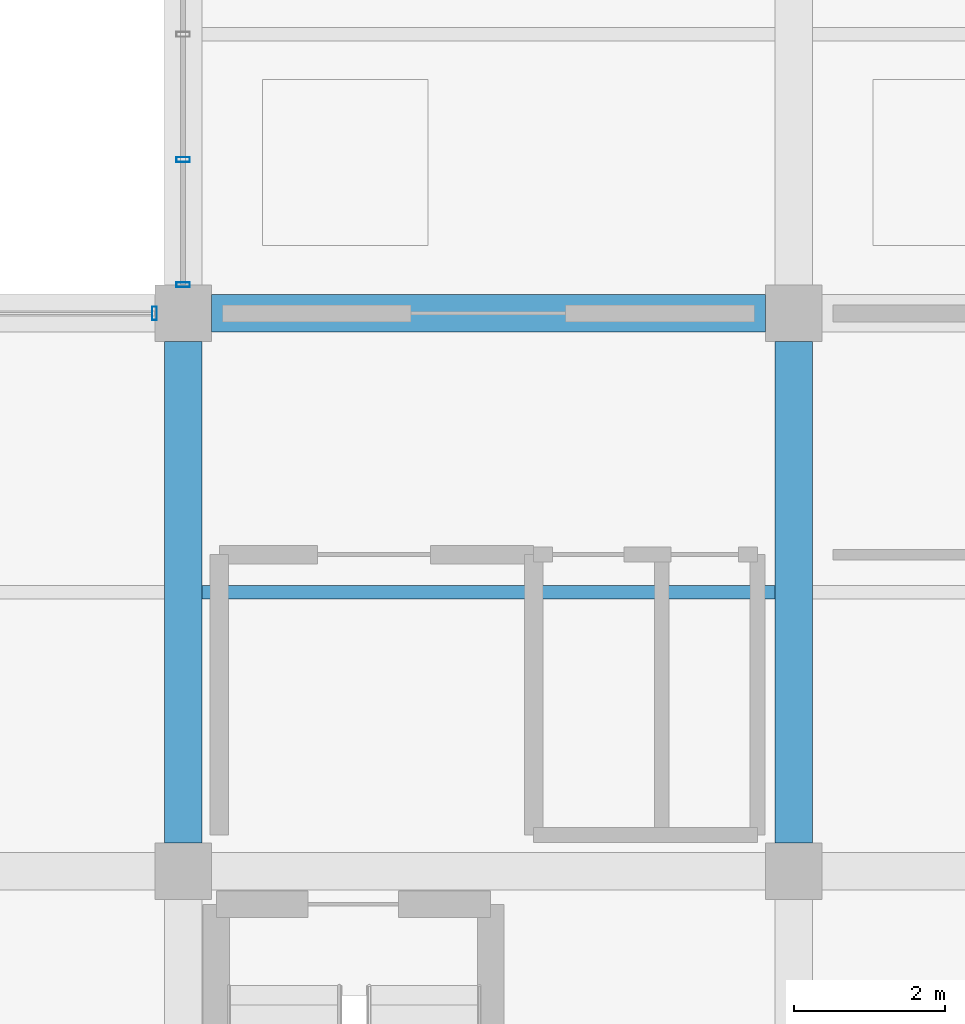
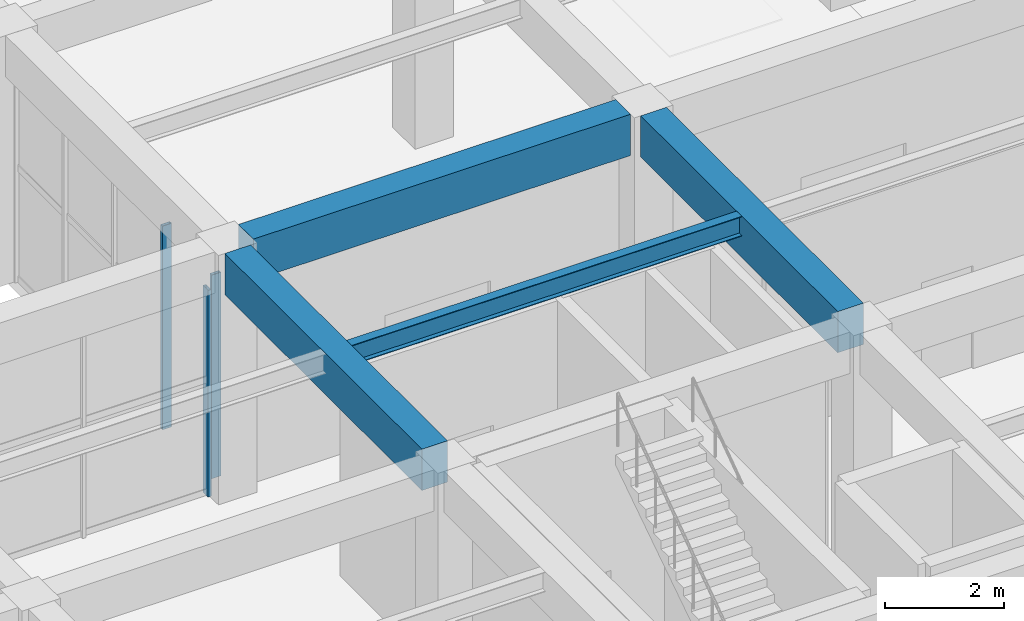
# One storey, part 16 of 140: 4 beams, 3 members, 2 elements without a shape of their own.
"""IFC4 building model written with IfcOpenShell, lengths in metres."""

from ifc_helpers import new_model, si_unit, direction, frame, origin, origin_2d, place, context, subcontext, project, spatial, rectangle, hollow_rectangle, i_section, extrude, material, material_profile, profile_set, type_object, element, aggregate, save


model = new_model("IFC4")

# Units and contexts
model_context = context("Model", 3, precision=1e-05, world=origin(), true_north=direction((0.0, 1.0)))
body_context = subcontext(model_context, "Body", "Model", "MODEL_VIEW")
ifc_project = project(units=[si_unit("LENGTHUNIT", "METRE"), si_unit("AREAUNIT", "SQUARE_METRE"), si_unit("VOLUMEUNIT", "CUBIC_METRE"), si_unit("PLANEANGLEUNIT", "RADIAN"), si_unit("MASSUNIT", "GRAM", prefix="KILO")], contexts=[model_context])

# Site, building, storey
site_placement = place(None, origin())
site = spatial("IfcSite", under=ifc_project, at=site_placement, CompositionType="ELEMENT")
building_placement = place(site_placement, origin())
building = spatial("IfcBuilding", under=site, at=building_placement, Name="Cimatlan Art Gallery", CompositionType="ELEMENT")
storey_placement = place(building_placement, origin())
storey = spatial("IfcBuildingStorey", under=building, at=storey_placement, Name="L00", CompositionType="ELEMENT", Elevation=0.0)

# Beams
ifc_material_1 = material(Name="Concrete C40/50", Category="concrete")
ifc_material_profile_1 = material_profile(ifc_material_1, rectangle(XDim=0.5, YDim=0.85009765625, at=origin_2d()), Name="RC500X850")
ifc_profile_set_1 = profile_set([ifc_material_profile_1], Name="Concrete C40/50")
beam_type_1 = type_object("IfcBeamType", Name="BM-RC-500X850", PredefinedType="BEAM", material=ifc_profile_set_1)
for number, where, z_axis, x_axis, name in (
    (1, (34.39990234375, 31.675048828125, 4.7099609375), (0.0, 1.0, 0.0), (-1.0, 0.0, 0.0), "BM-Y-L00-04-04"),
    (2, (42.5, 31.675048828125, 4.7099609375), (0.0, 1.0, 0.0), (-1.0, 0.0, 0.0), "BM-Y-L00-05-04"),
):
    element("IfcBeam", number, at=place(storey_placement, frame(where, z_axis=z_axis, x_axis=x_axis)), inside=storey, type_object=beam_type_1, Name=name, PredefinedType="BEAM", context=body_context, shape_type="SweptSolid", body=[
        extrude(rectangle(XDim=0.5, YDim=0.85009765625, at=origin_2d()), origin(), (0.0, 0.0, 1.0), 6.64990234375),
    ])
beam_1_placement = place(storey_placement, frame((34.77490234375, 38.699951171875, 4.7099609375), z_axis=(1.0, 0.0, 0.0), x_axis=(0.0, 1.0, 0.0)))
element("IfcBeam", 3, at=beam_1_placement, inside=storey, type_object=beam_type_1, Name="BM-X-L00-04-05", PredefinedType="BEAM", context=body_context, shape_type="SweptSolid", body=[
    extrude(rectangle(XDim=0.5, YDim=0.85009765625, at=origin_2d()), origin(), (0.0, 0.0, 1.0), 7.35009765625),
])
ifc_material_2 = material(Name="Steel ASTM A992 Grade 50", Category="steel")
ifc_material_profile_2 = material_profile(ifc_material_2, i_section(OverallWidth=0.177978515625, OverallDepth=0.406982421875, WebThickness=0.0078125, FlangeThickness=0.0126953125, at=origin_2d()), Name="W16X40")
ifc_profile_set_2 = profile_set([ifc_material_profile_2], Name="Steel ASTM A992 Grade 50")
beam_type_2 = type_object("IfcBeamType", Name="BM-STL-W16X40", PredefinedType="JOIST", material=ifc_profile_set_2)
beam_2_placement = place(storey_placement, frame((34.64990234375, 35.0, 4.931396484375), z_axis=(1.0, 0.0, 0.0), x_axis=(0.0, 1.0, 0.0)))
element("IfcBeam", 4, at=beam_2_placement, inside=storey, type_object=beam_type_2, Name="JST-L00-04-04", PredefinedType="JOIST", context=body_context, shape_type="SweptSolid", body=[
    extrude(i_section(OverallWidth=0.177978515625, OverallDepth=0.406982421875, WebThickness=0.0078125, FlangeThickness=0.0126953125, at=origin_2d()), origin(), (0.0, 0.0, 1.0), 7.60009765625),
])

# Curtain wall, member
ifc_material_3 = material(Name="Anodised bronze unitised curtain wall")
curtain_wall_type_1 = type_object("IfcCurtainWallType", Name="CW-V-07342X04255-B3", PredefinedType="NOTDEFINED", material=ifc_material_3)
curtain_wall_1_placement = place(storey_placement, origin())
curtain_wall_1 = element("IfcCurtainWall", 5, at=curtain_wall_1_placement, inside=storey, type_object=curtain_wall_type_1, Name="CW-L00-03-04-N", PredefinedType="NOTDEFINED")
ifc_material_4 = material(Name="Anodised bronze aluminium 6063-T6", Category="aluminium")
ifc_material_profile_3 = material_profile(ifc_material_4, hollow_rectangle(XDim=0.06494140625, YDim=0.179931640625, WallThickness=0.00390625, at=origin_2d()), Name="ALU65X180X4")
ifc_profile_set_3 = profile_set([ifc_material_profile_3], Name="Anodised bronze aluminium 6063-T6")
member_type = type_object("IfcMemberType", Name="CW-MUL-180", PredefinedType="MULLION", material=ifc_profile_set_3)
member_1_placement = place(storey_placement, frame((34.02099609375, 38.699951171875, 0.0), z_axis=(0.0, 0.0, 1.0), x_axis=(1.0, 0.0, 0.0)))
member_1 = element("IfcMember", 6, at=member_1_placement, type_object=member_type, Name="CW-L00-03-04-N-M4", PredefinedType="MULLION", context=body_context, shape_type="SweptSolid", body=[
    extrude(hollow_rectangle(XDim=0.06494140625, YDim=0.179931640625, WallThickness=0.00390625, at=origin_2d()), origin(), (0.0, 0.0, 1.0), 4.2548828125),
])
aggregate(curtain_wall_1, [member_1])

# Curtain wall, members
curtain_wall_type_2 = type_object("IfcCurtainWallType", Name="CW-V-06642X04195-B4", PredefinedType="NOTDEFINED", material=ifc_material_3)
curtain_wall_2_placement = place(storey_placement, origin())
curtain_wall_2 = element("IfcCurtainWall", 7, at=curtain_wall_2_placement, inside=storey, type_object=curtain_wall_type_2, Name="CW-L00-04-05-W", PredefinedType="NOTDEFINED")
member_2_placement = place(storey_placement, frame((34.39990234375, 39.0791015625, 0.0), z_axis=(0.0, 0.0, 1.0), x_axis=(0.0, 1.0, 0.0)))
member_2 = element("IfcMember", 8, at=member_2_placement, type_object=member_type, Name="CW-L00-04-05-W-M1", PredefinedType="MULLION", context=body_context, shape_type="SweptSolid", body=[
    extrude(hollow_rectangle(XDim=0.06494140625, YDim=0.179931640625, WallThickness=0.00390625, at=origin_2d()), origin(), (0.0, 0.0, 1.0), 4.195068359375),
])
member_3_placement = place(storey_placement, frame((34.39990234375, 40.739501953125, 0.0), z_axis=(0.0, 0.0, 1.0), x_axis=(0.0, 1.0, 0.0)))
member_3 = element("IfcMember", 9, at=member_3_placement, type_object=member_type, Name="CW-L00-04-05-W-M2", PredefinedType="MULLION", context=body_context, shape_type="SweptSolid", body=[
    extrude(hollow_rectangle(XDim=0.06494140625, YDim=0.179931640625, WallThickness=0.00390625, at=origin_2d()), origin(), (0.0, 0.0, 1.0), 4.195068359375),
])
aggregate(curtain_wall_2, [member_2, member_3])

save(model, "model.ifc")
